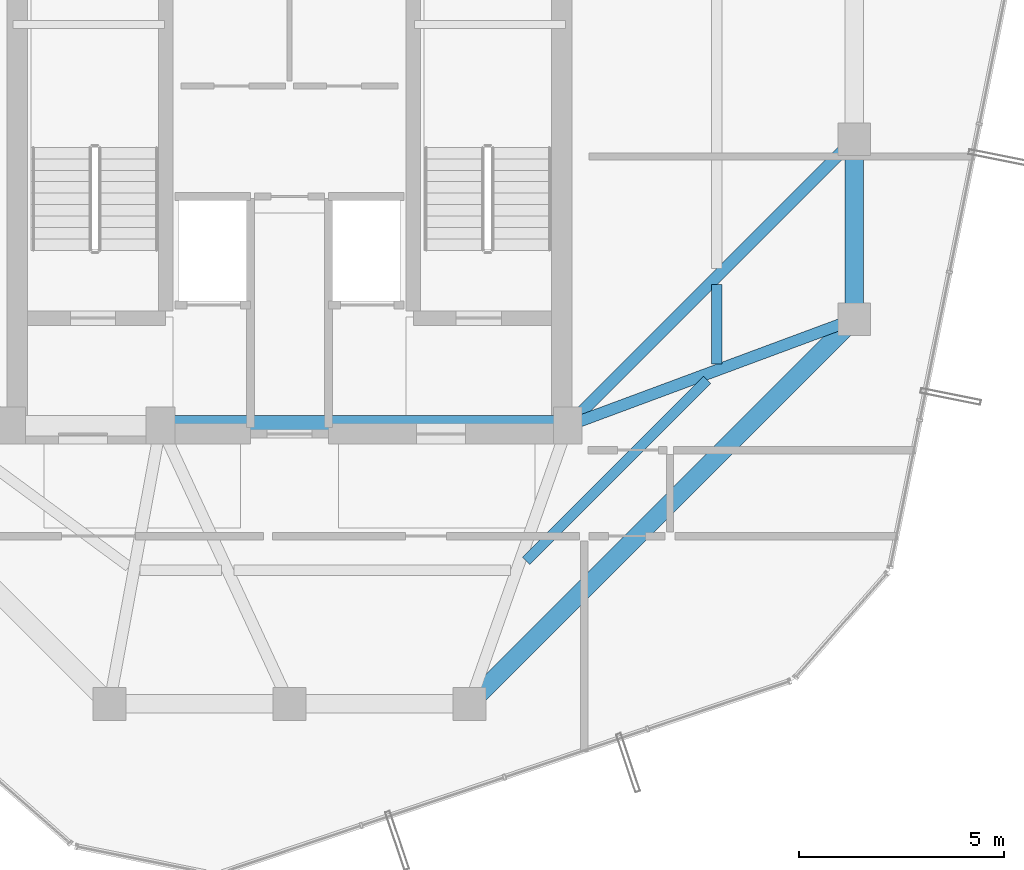
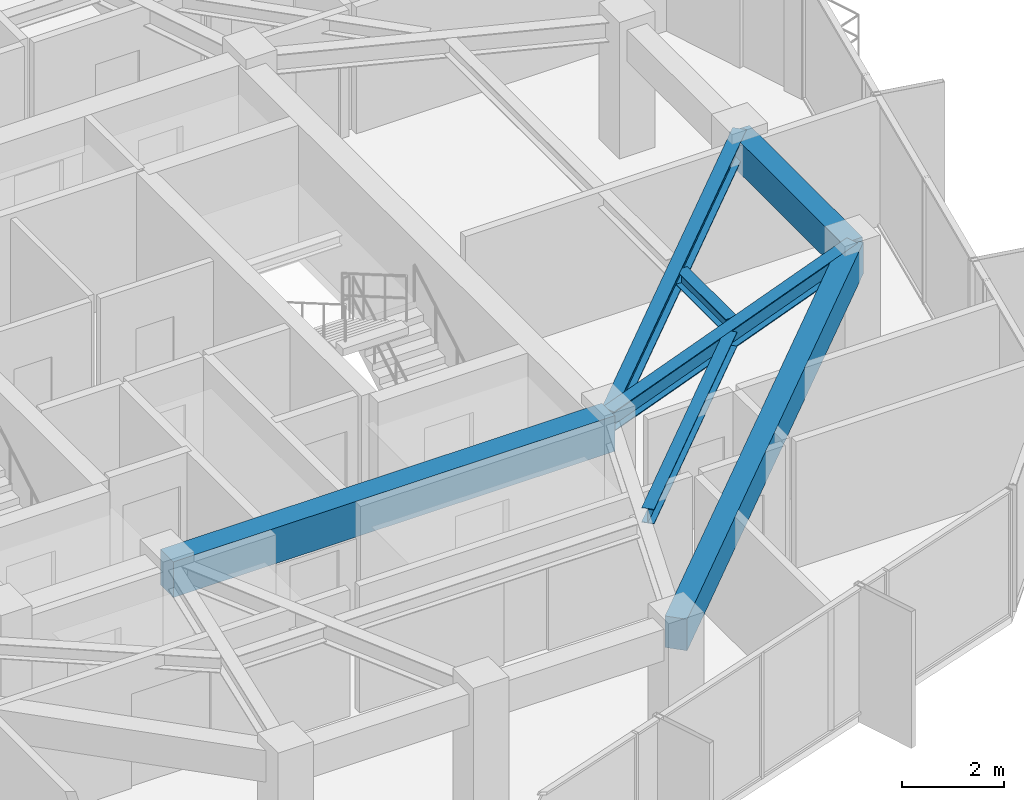
# One storey, part 10 of 28: 7 beams.
"""IFC4 building model written with IfcOpenShell, lengths in metres."""

from ifc_helpers import new_model, si_unit, direction, frame, origin, origin_2d, place, context, subcontext, project, spatial, rectangle, i_section, extrude, material, material_profile, profile_set, type_object, element, save


model = new_model("IFC4")

# Units and contexts
model_context = context("Model", 3, precision=1e-05, world=origin(), true_north=direction((0.0, 1.0)))
body_context = subcontext(model_context, "Body", "Model", "MODEL_VIEW")
ifc_project = project(units=[si_unit("LENGTHUNIT", "METRE"), si_unit("AREAUNIT", "SQUARE_METRE"), si_unit("VOLUMEUNIT", "CUBIC_METRE"), si_unit("PLANEANGLEUNIT", "RADIAN"), si_unit("MASSUNIT", "GRAM", prefix="KILO")], contexts=[model_context])

# Site, building, storey
site_placement = place(None, origin())
site = spatial("IfcSite", under=ifc_project, at=site_placement, CompositionType="ELEMENT")
building_placement = place(site_placement, origin())
building = spatial("IfcBuilding", under=site, at=building_placement, Name="Veraguas Prism Commons", CompositionType="ELEMENT")
storey_placement = place(building_placement, frame((0.0, 0.0, 248.0)))
storey = spatial("IfcBuildingStorey", under=building, at=storey_placement, Name="L70", CompositionType="ELEMENT", Elevation=248.0)

# Beams
ifc_material_1 = material(Name="Concrete C50/60", Category="concrete")
ifc_material_profile_1 = material_profile(ifc_material_1, rectangle(XDim=0.5, YDim=0.85009765625, at=origin_2d()), Name="RC500X850")
ifc_profile_set_1 = profile_set([ifc_material_profile_1], Name="Concrete C50/60")
beam_type_1 = type_object("IfcBeamType", Name="Core Coupling Beam RC 500x850", PredefinedType="BEAM", material=ifc_profile_set_1)
beam_1_placement = place(storey_placement, frame((20.85009765625, 17.0, 2.590087890625), z_axis=(1.0, 0.0, 0.0), x_axis=(0.0, 1.0, 0.0)))
element("IfcBeam", 1, at=beam_1_placement, inside=storey, type_object=beam_type_1, Name="Core Coupling Beam L70-CRS2", PredefinedType="BEAM", context=body_context, shape_type="SweptSolid", body=[
    extrude(rectangle(XDim=0.5, YDim=0.85009765625, at=origin_2d()), origin(), (0.0, 0.0, 1.0), 9.949951171875),
])
ifc_material_profile_2 = material_profile(ifc_material_1, rectangle(XDim=0.449951171875, YDim=0.75, at=origin_2d()), Name="RC450X750")
ifc_profile_set_2 = profile_set([ifc_material_profile_2], Name="Concrete C50/60")
beam_type_2 = type_object("IfcBeamType", Name="Perimeter Spandrel Upper RC 450x750", PredefinedType="SPANDREL", material=ifc_profile_set_2)
beam_2_placement = place(storey_placement, frame((37.800048828125, 19.60009765625, 2.639892578125), z_axis=(0.0, 1.0, 0.0), x_axis=(-1.0, 0.0, 0.0)))
element("IfcBeam", 2, at=beam_2_placement, inside=storey, type_object=beam_type_2, Name="Perimeter Spandrel Beam L70-SP01", PredefinedType="SPANDREL", context=body_context, shape_type="SweptSolid", body=[
    extrude(rectangle(XDim=0.449951171875, YDim=0.75, at=origin_2d()), origin(), (0.0, 0.0, 1.0), 4.39990234375),
])
beam_3_placement = place(storey_placement, frame((28.39990234375, 10.199951171875, 2.639892578125), z_axis=(0.707106781187, 0.707106781187, 0.0), x_axis=(-0.707106781187, 0.707106781187, 0.0)))
element("IfcBeam", 3, at=beam_3_placement, inside=storey, type_object=beam_type_2, Name="Perimeter Spandrel Beam L70-SP12", PredefinedType="SPANDREL", context=body_context, shape_type="SweptSolid", body=[
    extrude(rectangle(XDim=0.449951171875, YDim=0.75, at=origin_2d()), origin(), (0.0, 0.0, 1.0), 13.293701171875),
])
ifc_material_2 = material(Name="Steel ASTM A992 Grade 50", Category="steel")
ifc_material_profile_3 = material_profile(ifc_material_2, i_section(OverallWidth=0.25390625, OverallDepth=0.35302734375, WebThickness=0.009521484375, FlangeThickness=0.016357421875, at=origin_2d()), Name="W360X91")
ifc_profile_set_3 = profile_set([ifc_material_profile_3], Name="Steel ASTM A992 Grade 50")
beam_type_3 = type_object("IfcBeamType", Name="Upper Floor Joist W360x91", PredefinedType="JOIST", material=ifc_profile_set_3)
beam_4_placement = place(storey_placement, frame((34.43994140625, 18.500732421875, 2.83837890625), z_axis=(0.0, 1.0, 0.0), x_axis=(-1.0, 0.0, 0.0)))
element("IfcBeam", 4, at=beam_4_placement, inside=storey, type_object=beam_type_3, Name="Composite Floor Joist L70-JS01", PredefinedType="JOIST", context=body_context, shape_type="SweptSolid", body=[
    extrude(i_section(OverallWidth=0.25390625, OverallDepth=0.35302734375, WebThickness=0.009521484375, FlangeThickness=0.016357421875, at=origin_2d()), origin(), (0.0, 0.0, 1.0), 1.94189453125),
])
beam_5_placement = place(storey_placement, frame((29.780517578125, 13.692626953125, 2.83837890625), z_axis=(0.707126297541, 0.707087264294, 0.0), x_axis=(-0.707087264294, 0.707126297541, 0.0)))
element("IfcBeam", 5, at=beam_5_placement, inside=storey, type_object=beam_type_3, Name="Composite Floor Joist L70-JS12", PredefinedType="JOIST", context=body_context, shape_type="SweptSolid", body=[
    extrude(i_section(OverallWidth=0.25390625, OverallDepth=0.35302734375, WebThickness=0.009521484375, FlangeThickness=0.016357421875, at=origin_2d()), origin(), (0.0, 0.0, 1.0), 6.254638671875),
])
ifc_material_profile_4 = material_profile(ifc_material_2, i_section(OverallWidth=0.282958984375, OverallDepth=0.471923828125, WebThickness=0.013671875, FlangeThickness=0.022216796875, at=origin_2d()), Name="W460X144")
ifc_profile_set_4 = profile_set([ifc_material_profile_4], Name="Steel ASTM A992 Grade 50")
beam_type_4 = type_object("IfcBeamType", Name="Zone 4 Radial Girder W460x144", PredefinedType="BEAM", material=ifc_profile_set_4)
beam_6_placement = place(storey_placement, frame((37.800048828125, 19.60009765625, 2.779052734375), z_axis=(-0.937421003341, -0.348198021958, 0.0), x_axis=(0.348198021958, -0.937421003341, 0.0)))
element("IfcBeam", 6, at=beam_6_placement, inside=storey, type_object=beam_type_4, Name="Radial Floor Girder L70-RD01", PredefinedType="BEAM", context=body_context, shape_type="SweptSolid", body=[
    extrude(i_section(OverallWidth=0.282958984375, OverallDepth=0.471923828125, WebThickness=0.013671875, FlangeThickness=0.022216796875, at=origin_2d()), origin(), (0.0, 0.0, 1.0), 7.46728515625),
])
beam_7_placement = place(storey_placement, frame((37.800048828125, 24.0, 2.779052734375), z_axis=(-0.707106781187, -0.707106781187, 0.0), x_axis=(0.707106781187, -0.707106781187, 0.0)))
element("IfcBeam", 7, at=beam_7_placement, inside=storey, type_object=beam_type_4, Name="Radial Floor Girder L70-RD02", PredefinedType="BEAM", context=body_context, shape_type="SweptSolid", body=[
    extrude(i_section(OverallWidth=0.282958984375, OverallDepth=0.471923828125, WebThickness=0.013671875, FlangeThickness=0.022216796875, at=origin_2d()), origin(), (0.0, 0.0, 1.0), 9.8994140625),
])

save(model, "model.ifc")
